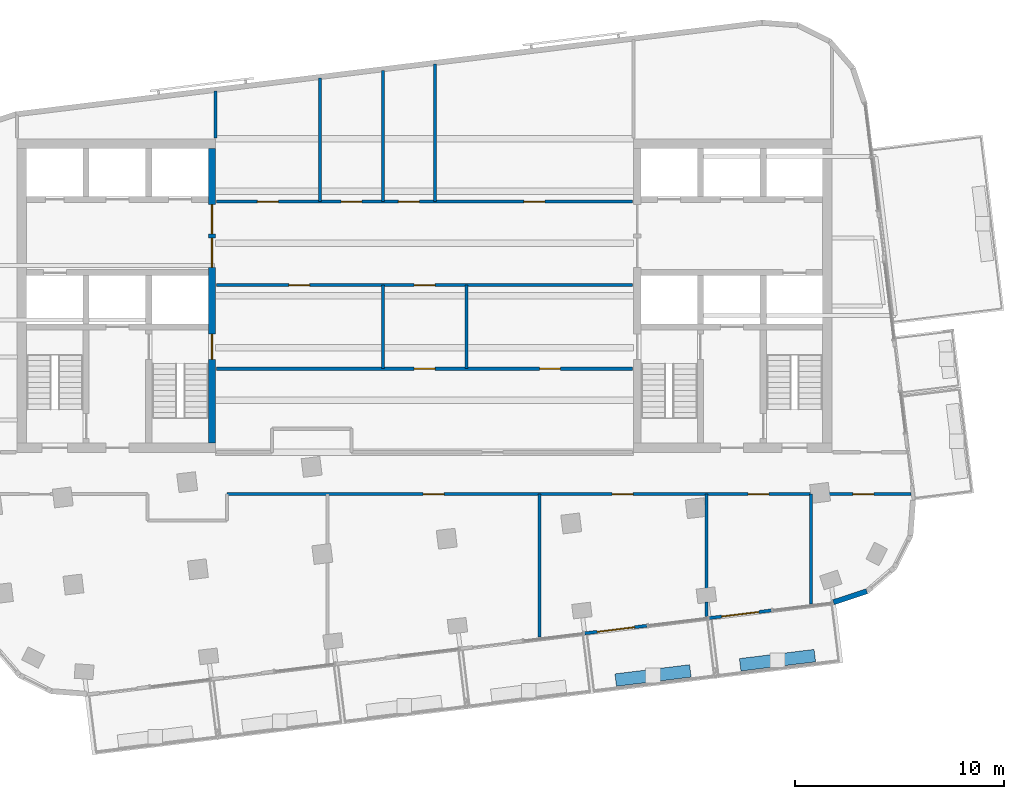
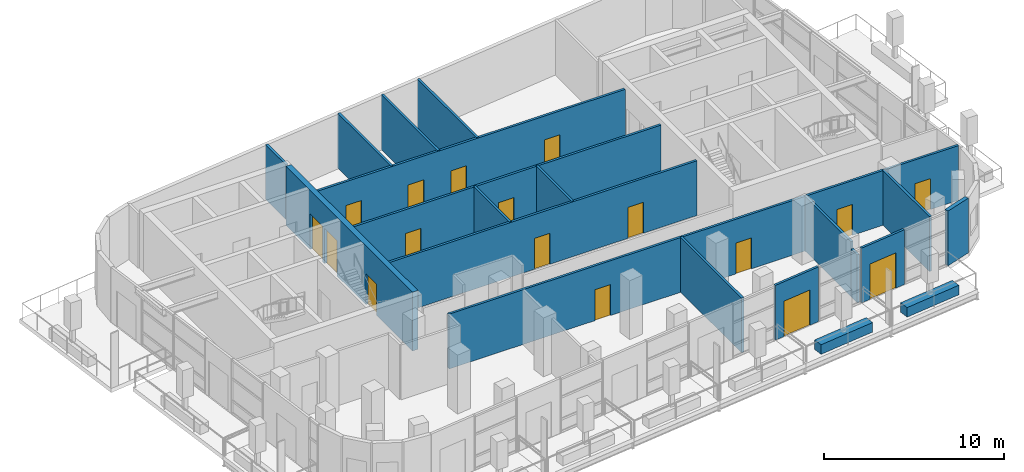
# One storey, part 8 of 14: 20 walls, 17 doors, 17 openings.
"""IFC4 building model written with IfcOpenShell, lengths in metres."""

from ifc_helpers import new_model, si_unit, direction, frame, frame_2d, origin, place, context, subcontext, project, spatial, rectangle, extrude, material, layer, layer_set, type_object, element, fill, save


model = new_model("IFC4")

# Units and contexts
model_context = context("Model", 3, precision=1e-05, world=origin(), true_north=direction((0.0, 1.0)))
body_context = subcontext(model_context, "Body", "Model", "MODEL_VIEW")
ifc_project = project(units=[si_unit("LENGTHUNIT", "METRE"), si_unit("AREAUNIT", "SQUARE_METRE"), si_unit("VOLUMEUNIT", "CUBIC_METRE"), si_unit("PLANEANGLEUNIT", "RADIAN"), si_unit("MASSUNIT", "GRAM", prefix="KILO")], contexts=[model_context])

# Site, building, storey
site_placement = place(None, origin())
site = spatial("IfcSite", under=ifc_project, at=site_placement, CompositionType="ELEMENT")
building_placement = place(site_placement, origin())
building = spatial("IfcBuilding", under=site, at=building_placement, Name="Torana Hotel and Residences", CompositionType="ELEMENT")
storey_placement = place(building_placement, frame((0.0, 0.0, 318.60009765625)))
storey = spatial("IfcBuildingStorey", under=building, at=storey_placement, Name="L84", CompositionType="ELEMENT", Elevation=318.60009765625)

# Wall, openings, doors
ifc_material_1 = material(Name="Concrete C60/75", Category="concrete")
ifc_layer_1 = layer(ifc_material_1, 0.35009765625)
ifc_layer_set_1 = layer_set([ifc_layer_1], Name="CORE WALL 350 C60/75")
wall_type_1 = type_object("IfcWallType", Name="CORE WALL 350 C60/75", PredefinedType="SHEAR", material=ifc_layer_set_1)
wall_1_placement = place(storey_placement, frame((-10.175048828125, -14.550048828125, 0.0), z_axis=(0.0, 0.0, 1.0), x_axis=(0.0, 1.0, 0.0)))
wall_1 = element("IfcWall", 1, at=wall_1_placement, inside=storey, type_object=wall_type_1, Name="Core wall W arch", PredefinedType="SHEAR", context=body_context, shape_type="SweptSolid", body=[
    extrude(rectangle(XDim=14.10009765625, YDim=0.35009765625, at=frame_2d((7.050048828125, 0.0))), origin(), (0.0, 0.0, 1.0), 4.0),
])
opening_1_placement = place(wall_1_placement, frame((8.39990234375, 0.0, 0.0)))
opening_1 = element("IfcOpeningElement", 2, at=opening_1_placement, cuts=wall_1, Name="Opening L84-01", PredefinedType="OPENING", context=body_context, shape_type="SweptSolid", body=[
    extrude(rectangle(XDim=1.39990234375, YDim=2.39990234375, at=frame_2d((0.699951171875, 1.199951171875))), frame((0.0, 0.18505859375, 0.0), z_axis=(0.0, -1.0, 0.0), x_axis=(1.0, 0.0, 0.0)), (0.0, 0.0, 1.0), 0.3701171875),
])
opening_2_placement = place(wall_1_placement, frame((10.0, 0.0, 0.0)))
opening_2 = element("IfcOpeningElement", 3, at=opening_2_placement, cuts=wall_1, Name="Opening L84-02", PredefinedType="OPENING", context=body_context, shape_type="SweptSolid", body=[
    extrude(rectangle(XDim=1.39990234375, YDim=2.39990234375, at=frame_2d((0.699951171875, 1.199951171875))), frame((0.0, 0.18505859375, 0.0), z_axis=(0.0, -1.0, 0.0), x_axis=(1.0, 0.0, 0.0)), (0.0, 0.0, 1.0), 0.3701171875),
])
opening_3_placement = place(wall_1_placement, frame((4.0, 0.0, 0.0)))
opening_3 = element("IfcOpeningElement", 4, at=opening_3_placement, cuts=wall_1, Name="Opening L84-03", PredefinedType="OPENING", context=body_context, shape_type="SweptSolid", body=[
    extrude(rectangle(XDim=1.199951171875, YDim=2.10009765625, at=frame_2d((0.60009765625, 1.050048828125))), frame((0.0, 0.18505859375, 0.0), z_axis=(0.0, -1.0, 0.0), x_axis=(1.0, 0.0, 0.0)), (0.0, 0.0, 1.0), 0.3701171875),
])
ifc_material_2 = material(Name="Steel S235", Category="steel")
door_type_1 = type_object("IfcDoorType", Name="LOBBY FIRE DOOR D4 1400x2400", OperationType="DOUBLE_DOOR_SINGLE_SWING", PredefinedType="DOOR", material=ifc_material_2)
door_1_placement = place(opening_1_placement, origin())
door_1 = element("IfcDoor", 5, at=door_1_placement, inside=storey, type_object=door_type_1, Name="Lobby-1 door L84", OperationType="DOUBLE_DOOR_SINGLE_SWING", OverallHeight=2.39990234375, OverallWidth=1.39990234375, PredefinedType="DOOR", context=body_context, shape_type="SweptSolid", body=[
    extrude(rectangle(XDim=1.39990234375, YDim=2.39990234375, at=frame_2d((0.699951171875, 1.199951171875))), frame((0.0, 0.02490234375, 0.0), z_axis=(0.0, -1.0, 0.0), x_axis=(1.0, 0.0, 0.0)), (0.0, 0.0, 1.0), 0.050048828125),
])
fill(opening_1, door_1)
door_2_placement = place(opening_2_placement, origin())
door_2 = element("IfcDoor", 6, at=door_2_placement, inside=storey, type_object=door_type_1, Name="Lobby-2 door L84", OperationType="DOUBLE_DOOR_SINGLE_SWING", OverallHeight=2.39990234375, OverallWidth=1.39990234375, PredefinedType="DOOR", context=body_context, shape_type="SweptSolid", body=[
    extrude(rectangle(XDim=1.39990234375, YDim=2.39990234375, at=frame_2d((0.699951171875, 1.199951171875))), frame((0.0, 0.02490234375, 0.0), z_axis=(0.0, -1.0, 0.0), x_axis=(1.0, 0.0, 0.0)), (0.0, 0.0, 1.0), 0.050048828125),
])
fill(opening_2, door_2)
ifc_material_3 = material(Name="Steel S235", Category="steel")
door_type_2 = type_object("IfcDoorType", Name="STAIR FIRE DOOR D3 1200x2100", OperationType="SINGLE_SWING_LEFT", PredefinedType="DOOR", material=ifc_material_3)
door_3_placement = place(opening_3_placement, origin())
door_3 = element("IfcDoor", 7, at=door_3_placement, inside=storey, type_object=door_type_2, Name="Stair-A door L84", OperationType="SINGLE_SWING_LEFT", OverallHeight=2.10009765625, OverallWidth=1.199951171875, PredefinedType="DOOR", context=body_context, shape_type="SweptSolid", body=[
    extrude(rectangle(XDim=1.199951171875, YDim=2.10009765625, at=frame_2d((0.60009765625, 1.050048828125))), frame((0.0, 0.02490234375, 0.0), z_axis=(0.0, -1.0, 0.0), x_axis=(1.0, 0.0, 0.0)), (0.0, 0.0, 1.0), 0.050048828125),
])
fill(opening_3, door_3)

# Walls
ifc_material_4 = material(Name="Black aluminium composite panel", Category="aluminium")
ifc_layer_2 = layer(ifc_material_4, 0.00390625, Name="Cladding", Category="cladding")
ifc_material_5 = material(Name="Ventilated air cavity")
ifc_layer_3 = layer(ifc_material_5, 0.0400390625, Name="Ventilated cavity", Category="cavity")
ifc_material_6 = material(Name="Mineral wool insulation")
ifc_layer_4 = layer(ifc_material_6, 0.090087890625, Name="Insulation", Category="insulation")
ifc_material_7 = material(Name="Steel S280GD", Category="steel")
ifc_layer_5 = layer(ifc_material_7, 0.092041015625, Name="Steel stud frame", Category="structure")
ifc_material_8 = material(Name="Fire rated plasterboard")
ifc_layer_6 = layer(ifc_material_8, 0.011962890625, Name="Inner board", Category="finish")
ifc_layer_7 = layer(ifc_material_8, 0.011962890625, Name="Second board", Category="finish")
ifc_layer_set_2 = layer_set([ifc_layer_2, ifc_layer_3, ifc_layer_4, ifc_layer_5, ifc_layer_6, ifc_layer_7], Name="EW1 EXTERNAL WALL BLACK METAL CLAD 250")
wall_type_2 = type_object("IfcWallType", Name="EW1 EXTERNAL WALL BLACK METAL CLAD 250", PredefinedType="SOLIDWALL", material=ifc_layer_set_2)
wall_2_placement = place(storey_placement, frame((19.568359375, -22.1748046875, 0.0), z_axis=(0.0, 0.0, 1.0), x_axis=(0.949694735798, 0.313177120489, 0.0)))
element("IfcWall", 8, at=wall_2_placement, inside=storey, type_object=wall_type_2, Name="External wall L84 e0.15", PredefinedType="SOLIDWALL", context=body_context, shape_type="SweptSolid", body=[
    extrude(rectangle(XDim=1.681396484375, YDim=0.25, at=frame_2d((0.8408203125, 0.0))), origin(), (0.0, 0.0, 1.0), 3.719970703125),
])
ifc_material_9 = material(Name="Gypsum plaster")
ifc_layer_8 = layer(ifc_material_9, 0.014892578125, Name="Plaster", Category="finish")
ifc_material_10 = material(Name="Concrete blockwork", Category="masonry")
ifc_layer_9 = layer(ifc_material_10, 0.1201171875, Name="Blockwork", Category="structure")
ifc_layer_10 = layer(ifc_material_9, 0.014892578125, Name="Plaster", Category="finish")
ifc_layer_set_3 = layer_set([ifc_layer_8, ifc_layer_9, ifc_layer_10], Name="FIRE PARTITION 150 BLOCKWORK")
wall_type_3 = type_object("IfcWallType", Name="FIRE PARTITION 150 BLOCKWORK", PredefinedType="PARTITIONING", material=ifc_layer_set_3)
for number, where, z_axis, x_axis, name in (
    (9, (2.0, -11.0, 0.0), (0.0, 0.0, 1.0), (0.0, 1.0, 0.0), "Partition L84"),
    (10, (-2.0, -11.0, 0.0), (0.0, 0.0, 1.0), (0.0, 1.0, 0.0), "Partition L84"),
):
    element("IfcWall", number, at=place(storey_placement, frame(where, z_axis=z_axis, x_axis=x_axis)), inside=storey, type_object=wall_type_3, Name=name, PredefinedType="PARTITIONING", context=body_context, shape_type="SweptSolid", body=[
        extrude(rectangle(XDim=4.0, YDim=0.14990234375, at=frame_2d((2.0, 0.0))), origin(), (0.0, 0.0, 1.0), 3.719970703125),
    ])

# Wall, openings, doors
wall_3_placement = place(storey_placement, frame((-9.4609375, -17.0, 0.0), z_axis=(0.0, 0.0, 1.0), x_axis=(1.0, 0.0, 0.0)))
wall_3 = element("IfcWall", 11, at=wall_3_placement, inside=storey, type_object=wall_type_3, Name="Partition L84", PredefinedType="PARTITIONING", context=body_context, shape_type="SweptSolid", body=[
    extrude(rectangle(XDim=32.74658203125, YDim=0.14990234375, at=frame_2d((16.373291015625, 0.0))), origin(), (0.0, 0.0, 1.0), 3.719970703125),
])
opening_4_placement = place(wall_3_placement, frame((9.388916015625, 0.0, 0.0)))
opening_4 = element("IfcOpeningElement", 12, at=opening_4_placement, cuts=wall_3, Name="Opening L84-19", PredefinedType="OPENING", context=body_context, shape_type="SweptSolid", body=[
    extrude(rectangle(XDim=1.0, YDim=2.10009765625, at=frame_2d((0.5, 1.050048828125))), frame((0.0, 0.0849609375, 0.0), z_axis=(0.0, -1.0, 0.0), x_axis=(1.0, 0.0, 0.0)), (0.0, 0.0, 1.0), 0.169921875),
])
opening_5_placement = place(wall_3_placement, frame((18.43896484375, 0.0, 0.0)))
opening_5 = element("IfcOpeningElement", 13, at=opening_5_placement, cuts=wall_3, Name="Opening L84-20", PredefinedType="OPENING", context=body_context, shape_type="SweptSolid", body=[
    extrude(rectangle(XDim=1.0, YDim=2.10009765625, at=frame_2d((0.5, 1.050048828125))), frame((0.0, 0.0849609375, 0.0), z_axis=(0.0, -1.0, 0.0), x_axis=(1.0, 0.0, 0.0)), (0.0, 0.0, 1.0), 0.169921875),
])
opening_6_placement = place(wall_3_placement, frame((24.93896484375, 0.0, 0.0)))
opening_6 = element("IfcOpeningElement", 14, at=opening_6_placement, cuts=wall_3, Name="Opening L84-21", PredefinedType="OPENING", context=body_context, shape_type="SweptSolid", body=[
    extrude(rectangle(XDim=1.0, YDim=2.10009765625, at=frame_2d((0.5, 1.050048828125))), frame((0.0, 0.0849609375, 0.0), z_axis=(0.0, -1.0, 0.0), x_axis=(1.0, 0.0, 0.0)), (0.0, 0.0, 1.0), 0.169921875),
])
opening_7_placement = place(wall_3_placement, frame((29.9580078125, 0.0, 0.0)))
opening_7 = element("IfcOpeningElement", 15, at=opening_7_placement, cuts=wall_3, Name="Opening L84-22", PredefinedType="OPENING", context=body_context, shape_type="SweptSolid", body=[
    extrude(rectangle(XDim=1.0, YDim=2.10009765625, at=frame_2d((0.5, 1.050048828125))), frame((0.0, 0.0849609375, 0.0), z_axis=(0.0, -1.0, 0.0), x_axis=(1.0, 0.0, 0.0)), (0.0, 0.0, 1.0), 0.169921875),
])
ifc_material_11 = material(Name="Steel S235", Category="steel")
door_type_3 = type_object("IfcDoorType", Name="ENTRY FIRE DOOR D6 1000x2100", OperationType="SINGLE_SWING_LEFT", PredefinedType="DOOR", material=ifc_material_11)
door_4_placement = place(opening_4_placement, frame((0.5, 0.0, 0.0), z_axis=(0.0, 0.0, 1.0), x_axis=(-1.0, 0.0, 0.0)))
door_4 = element("IfcDoor", 16, at=door_4_placement, inside=storey, type_object=door_type_3, Name="Door L84", OperationType="SINGLE_SWING_LEFT", OverallHeight=2.10009765625, OverallWidth=1.0, PredefinedType="DOOR", context=body_context, shape_type="SweptSolid", body=[
    extrude(rectangle(XDim=1.0, YDim=2.10009765625, at=frame_2d((0.0, 1.050048828125))), frame((0.0, -0.02490234375, 0.0), z_axis=(0.0, 1.0, 0.0), x_axis=(-1.0, 0.0, 0.0)), (0.0, 0.0, 1.0), 0.050048828125),
])
fill(opening_4, door_4)
door_5_placement = place(opening_5_placement, frame((0.5, 0.0, 0.0), z_axis=(0.0, 0.0, 1.0), x_axis=(-1.0, 0.0, 0.0)))
door_5 = element("IfcDoor", 17, at=door_5_placement, inside=storey, type_object=door_type_3, Name="Door L84", OperationType="SINGLE_SWING_LEFT", OverallHeight=2.10009765625, OverallWidth=1.0, PredefinedType="DOOR", context=body_context, shape_type="SweptSolid", body=[
    extrude(rectangle(XDim=1.0, YDim=2.10009765625, at=frame_2d((0.0, 1.050048828125))), frame((0.0, -0.02490234375, 0.0), z_axis=(0.0, 1.0, 0.0), x_axis=(-1.0, 0.0, 0.0)), (0.0, 0.0, 1.0), 0.050048828125),
])
fill(opening_5, door_5)
door_6_placement = place(opening_6_placement, frame((0.5, 0.0, 0.0), z_axis=(0.0, 0.0, 1.0), x_axis=(-1.0, 0.0, 0.0)))
door_6 = element("IfcDoor", 18, at=door_6_placement, inside=storey, type_object=door_type_3, Name="Door L84", OperationType="SINGLE_SWING_LEFT", OverallHeight=2.10009765625, OverallWidth=1.0, PredefinedType="DOOR", context=body_context, shape_type="SweptSolid", body=[
    extrude(rectangle(XDim=1.0, YDim=2.10009765625, at=frame_2d((0.0, 1.050048828125))), frame((0.0, -0.02490234375, 0.0), z_axis=(0.0, 1.0, 0.0), x_axis=(-1.0, 0.0, 0.0)), (0.0, 0.0, 1.0), 0.050048828125),
])
fill(opening_6, door_6)
door_7_placement = place(opening_7_placement, frame((0.5, 0.0, 0.0), z_axis=(0.0, 0.0, 1.0), x_axis=(-1.0, 0.0, 0.0)))
door_7 = element("IfcDoor", 19, at=door_7_placement, inside=storey, type_object=door_type_3, Name="Door L84", OperationType="SINGLE_SWING_LEFT", OverallHeight=2.10009765625, OverallWidth=1.0, PredefinedType="DOOR", context=body_context, shape_type="SweptSolid", body=[
    extrude(rectangle(XDim=1.0, YDim=2.10009765625, at=frame_2d((0.0, 1.050048828125))), frame((0.0, -0.02490234375, 0.0), z_axis=(0.0, 1.0, 0.0), x_axis=(-1.0, 0.0, 0.0)), (0.0, 0.0, 1.0), 0.050048828125),
])
fill(opening_7, door_7)

wall_4_placement = place(storey_placement, frame((-9.949951171875, -11.0, 0.0), z_axis=(0.0, 0.0, 1.0), x_axis=(1.0, 0.0, 0.0)))
wall_4 = element("IfcWall", 20, at=wall_4_placement, inside=storey, type_object=wall_type_3, Name="Partition L84", PredefinedType="PARTITIONING", context=body_context, shape_type="SweptSolid", body=[
    extrude(rectangle(XDim=19.89990234375, YDim=0.14990234375, at=frame_2d((9.949951171875, 0.0))), origin(), (0.0, 0.0, 1.0), 3.719970703125),
])
opening_8_placement = place(wall_4_placement, frame((9.449951171875, 0.0, 0.0)))
opening_8 = element("IfcOpeningElement", 21, at=opening_8_placement, cuts=wall_4, Name="Opening L84-25", PredefinedType="OPENING", context=body_context, shape_type="SweptSolid", body=[
    extrude(rectangle(XDim=1.0, YDim=2.10009765625, at=frame_2d((0.5, 1.050048828125))), frame((0.0, 0.0849609375, 0.0), z_axis=(0.0, -1.0, 0.0), x_axis=(1.0, 0.0, 0.0)), (0.0, 0.0, 1.0), 0.169921875),
])
opening_9_placement = place(wall_4_placement, frame((15.449951171875, 0.0, 0.0)))
opening_9 = element("IfcOpeningElement", 22, at=opening_9_placement, cuts=wall_4, Name="Opening L84-26", PredefinedType="OPENING", context=body_context, shape_type="SweptSolid", body=[
    extrude(rectangle(XDim=1.0, YDim=2.10009765625, at=frame_2d((0.5, 1.050048828125))), frame((0.0, 0.0849609375, 0.0), z_axis=(0.0, -1.0, 0.0), x_axis=(1.0, 0.0, 0.0)), (0.0, 0.0, 1.0), 0.169921875),
])
door_8_placement = place(opening_8_placement, origin())
door_8 = element("IfcDoor", 23, at=door_8_placement, inside=storey, type_object=door_type_3, Name="Door L84", OperationType="SINGLE_SWING_RIGHT", OverallHeight=2.10009765625, OverallWidth=1.0, PredefinedType="DOOR", context=body_context, shape_type="SweptSolid", body=[
    extrude(rectangle(XDim=1.0, YDim=2.10009765625, at=frame_2d((0.5, 1.050048828125))), frame((0.0, 0.02490234375, 0.0), z_axis=(0.0, -1.0, 0.0), x_axis=(1.0, 0.0, 0.0)), (0.0, 0.0, 1.0), 0.050048828125),
])
fill(opening_8, door_8)
door_9_placement = place(opening_9_placement, origin())
door_9 = element("IfcDoor", 24, at=door_9_placement, inside=storey, type_object=door_type_3, Name="Door L84", OperationType="SINGLE_SWING_RIGHT", OverallHeight=2.10009765625, OverallWidth=1.0, PredefinedType="DOOR", context=body_context, shape_type="SweptSolid", body=[
    extrude(rectangle(XDim=1.0, YDim=2.10009765625, at=frame_2d((0.5, 1.050048828125))), frame((0.0, 0.02490234375, 0.0), z_axis=(0.0, -1.0, 0.0), x_axis=(1.0, 0.0, 0.0)), (0.0, 0.0, 1.0), 0.050048828125),
])
fill(opening_9, door_9)

wall_5_placement = place(storey_placement, frame((-9.949951171875, -7.0, 0.0), z_axis=(0.0, 0.0, 1.0), x_axis=(1.0, 0.0, 0.0)))
wall_5 = element("IfcWall", 25, at=wall_5_placement, inside=storey, type_object=wall_type_3, Name="Partition L84", PredefinedType="PARTITIONING", context=body_context, shape_type="SweptSolid", body=[
    extrude(rectangle(XDim=19.89990234375, YDim=0.14990234375, at=frame_2d((9.949951171875, 0.0))), origin(), (0.0, 0.0, 1.0), 3.719970703125),
])
opening_10_placement = place(wall_5_placement, frame((9.449951171875, 0.0, 0.0)))
opening_10 = element("IfcOpeningElement", 26, at=opening_10_placement, cuts=wall_5, Name="Opening L84-27", PredefinedType="OPENING", context=body_context, shape_type="SweptSolid", body=[
    extrude(rectangle(XDim=1.0, YDim=2.10009765625, at=frame_2d((0.5, 1.050048828125))), frame((0.0, 0.0849609375, 0.0), z_axis=(0.0, -1.0, 0.0), x_axis=(1.0, 0.0, 0.0)), (0.0, 0.0, 1.0), 0.169921875),
])
opening_11_placement = place(wall_5_placement, frame((3.449951171875, 0.0, 0.0)))
opening_11 = element("IfcOpeningElement", 27, at=opening_11_placement, cuts=wall_5, Name="Opening L84-28", PredefinedType="OPENING", context=body_context, shape_type="SweptSolid", body=[
    extrude(rectangle(XDim=1.0, YDim=2.10009765625, at=frame_2d((0.5, 1.050048828125))), frame((0.0, 0.0849609375, 0.0), z_axis=(0.0, -1.0, 0.0), x_axis=(1.0, 0.0, 0.0)), (0.0, 0.0, 1.0), 0.169921875),
])
door_10_placement = place(opening_10_placement, origin())
door_10 = element("IfcDoor", 28, at=door_10_placement, inside=storey, type_object=door_type_3, Name="Door L84", OperationType="SINGLE_SWING_RIGHT", OverallHeight=2.10009765625, OverallWidth=1.0, PredefinedType="DOOR", context=body_context, shape_type="SweptSolid", body=[
    extrude(rectangle(XDim=1.0, YDim=2.10009765625, at=frame_2d((0.5, 1.050048828125))), frame((0.0, 0.02490234375, 0.0), z_axis=(0.0, -1.0, 0.0), x_axis=(1.0, 0.0, 0.0)), (0.0, 0.0, 1.0), 0.050048828125),
])
fill(opening_10, door_10)
door_11_placement = place(opening_11_placement, frame((0.5, 0.0, 0.0), z_axis=(0.0, 0.0, 1.0), x_axis=(-1.0, 0.0, 0.0)))
door_11 = element("IfcDoor", 29, at=door_11_placement, inside=storey, type_object=door_type_3, Name="Door L84", OperationType="SINGLE_SWING_LEFT", OverallHeight=2.10009765625, OverallWidth=1.0, PredefinedType="DOOR", context=body_context, shape_type="SweptSolid", body=[
    extrude(rectangle(XDim=1.0, YDim=2.10009765625, at=frame_2d((0.0, 1.050048828125))), frame((0.0, -0.02490234375, 0.0), z_axis=(0.0, 1.0, 0.0), x_axis=(-1.0, 0.0, 0.0)), (0.0, 0.0, 1.0), 0.050048828125),
])
fill(opening_11, door_11)

wall_6_placement = place(storey_placement, frame((-9.949951171875, -3.0, 0.0), z_axis=(0.0, 0.0, 1.0), x_axis=(1.0, 0.0, 0.0)))
wall_6 = element("IfcWall", 30, at=wall_6_placement, inside=storey, type_object=wall_type_3, Name="Partition L84", PredefinedType="PARTITIONING", context=body_context, shape_type="SweptSolid", body=[
    extrude(rectangle(XDim=19.89990234375, YDim=0.14990234375, at=frame_2d((9.949951171875, 0.0))), origin(), (0.0, 0.0, 1.0), 3.719970703125),
])
opening_12_placement = place(wall_6_placement, frame((1.949951171875, 0.0, 0.0)))
opening_12 = element("IfcOpeningElement", 31, at=opening_12_placement, cuts=wall_6, Name="Opening L84-29", PredefinedType="OPENING", context=body_context, shape_type="SweptSolid", body=[
    extrude(rectangle(XDim=1.0, YDim=2.10009765625, at=frame_2d((0.5, 1.050048828125))), frame((0.0, 0.0849609375, 0.0), z_axis=(0.0, -1.0, 0.0), x_axis=(1.0, 0.0, 0.0)), (0.0, 0.0, 1.0), 0.169921875),
])
opening_13_placement = place(wall_6_placement, frame((5.949951171875, 0.0, 0.0)))
opening_13 = element("IfcOpeningElement", 32, at=opening_13_placement, cuts=wall_6, Name="Opening L84-30", PredefinedType="OPENING", context=body_context, shape_type="SweptSolid", body=[
    extrude(rectangle(XDim=1.0, YDim=2.10009765625, at=frame_2d((0.5, 1.050048828125))), frame((0.0, 0.0849609375, 0.0), z_axis=(0.0, -1.0, 0.0), x_axis=(1.0, 0.0, 0.0)), (0.0, 0.0, 1.0), 0.169921875),
])
opening_14_placement = place(wall_6_placement, frame((8.699951171875, 0.0, 0.0)))
opening_14 = element("IfcOpeningElement", 33, at=opening_14_placement, cuts=wall_6, Name="Opening L84-31", PredefinedType="OPENING", context=body_context, shape_type="SweptSolid", body=[
    extrude(rectangle(XDim=1.0, YDim=2.10009765625, at=frame_2d((0.5, 1.050048828125))), frame((0.0, 0.0849609375, 0.0), z_axis=(0.0, -1.0, 0.0), x_axis=(1.0, 0.0, 0.0)), (0.0, 0.0, 1.0), 0.169921875),
])
opening_15_placement = place(wall_6_placement, frame((14.699951171875, 0.0, 0.0)))
opening_15 = element("IfcOpeningElement", 34, at=opening_15_placement, cuts=wall_6, Name="Opening L84-32", PredefinedType="OPENING", context=body_context, shape_type="SweptSolid", body=[
    extrude(rectangle(XDim=1.0, YDim=2.10009765625, at=frame_2d((0.5, 1.050048828125))), frame((0.0, 0.0849609375, 0.0), z_axis=(0.0, -1.0, 0.0), x_axis=(1.0, 0.0, 0.0)), (0.0, 0.0, 1.0), 0.169921875),
])
door_12_placement = place(opening_12_placement, origin())
door_12 = element("IfcDoor", 35, at=door_12_placement, inside=storey, type_object=door_type_3, Name="Door L84", OperationType="SINGLE_SWING_RIGHT", OverallHeight=2.10009765625, OverallWidth=1.0, PredefinedType="DOOR", context=body_context, shape_type="SweptSolid", body=[
    extrude(rectangle(XDim=1.0, YDim=2.10009765625, at=frame_2d((0.5, 1.050048828125))), frame((0.0, 0.02490234375, 0.0), z_axis=(0.0, -1.0, 0.0), x_axis=(1.0, 0.0, 0.0)), (0.0, 0.0, 1.0), 0.050048828125),
])
fill(opening_12, door_12)
door_13_placement = place(opening_13_placement, origin())
door_13 = element("IfcDoor", 36, at=door_13_placement, inside=storey, type_object=door_type_3, Name="Door L84", OperationType="SINGLE_SWING_RIGHT", OverallHeight=2.10009765625, OverallWidth=1.0, PredefinedType="DOOR", context=body_context, shape_type="SweptSolid", body=[
    extrude(rectangle(XDim=1.0, YDim=2.10009765625, at=frame_2d((0.5, 1.050048828125))), frame((0.0, 0.02490234375, 0.0), z_axis=(0.0, -1.0, 0.0), x_axis=(1.0, 0.0, 0.0)), (0.0, 0.0, 1.0), 0.050048828125),
])
fill(opening_13, door_13)
door_14_placement = place(opening_14_placement, origin())
door_14 = element("IfcDoor", 37, at=door_14_placement, inside=storey, type_object=door_type_3, Name="Door L84", OperationType="SINGLE_SWING_RIGHT", OverallHeight=2.10009765625, OverallWidth=1.0, PredefinedType="DOOR", context=body_context, shape_type="SweptSolid", body=[
    extrude(rectangle(XDim=1.0, YDim=2.10009765625, at=frame_2d((0.5, 1.050048828125))), frame((0.0, 0.02490234375, 0.0), z_axis=(0.0, -1.0, 0.0), x_axis=(1.0, 0.0, 0.0)), (0.0, 0.0, 1.0), 0.050048828125),
])
fill(opening_14, door_14)
door_15_placement = place(opening_15_placement, origin())
door_15 = element("IfcDoor", 38, at=door_15_placement, inside=storey, type_object=door_type_3, Name="Door L84", OperationType="SINGLE_SWING_RIGHT", OverallHeight=2.10009765625, OverallWidth=1.0, PredefinedType="DOOR", context=body_context, shape_type="SweptSolid", body=[
    extrude(rectangle(XDim=1.0, YDim=2.10009765625, at=frame_2d((0.5, 1.050048828125))), frame((0.0, 0.02490234375, 0.0), z_axis=(0.0, -1.0, 0.0), x_axis=(1.0, 0.0, 0.0)), (0.0, 0.0, 1.0), 0.050048828125),
])
fill(opening_15, door_15)

# Wall, opening, door
ifc_material_12 = material(Name="Dark glass screen in aluminium frame", Category="aluminium")
ifc_layer_11 = layer(ifc_material_12, 0.14990234375)
ifc_layer_set_4 = layer_set([ifc_layer_11], Name="GS1 GLAZED DOOR SCREEN 150")
wall_type_4 = type_object("IfcWallType", Name="GS1 GLAZED DOOR SCREEN 150", PredefinedType="USERDEFINED", material=ifc_layer_set_4)
wall_7_placement = place(storey_placement, frame((7.661376953125, -23.664306640625, 0.0), z_axis=(0.0, 0.0, 1.0), x_axis=(0.992552088886, 0.121820978688, 0.0)))
wall_7 = element("IfcWall", 39, at=wall_7_placement, inside=storey, type_object=wall_type_4, Name="Glazed door screen L84", ObjectType="GLAZED SCREEN", PredefinedType="USERDEFINED", context=body_context, shape_type="SweptSolid", body=[
    extrude(rectangle(XDim=3.000244140625, YDim=0.14990234375, at=frame_2d((1.5, 0.0))), origin(), (0.0, 0.0, 1.0), 3.719970703125),
])
opening_16_placement = place(wall_7_placement, frame((0.60009765625, 0.0, 0.0)))
opening_16 = element("IfcOpeningElement", 40, at=opening_16_placement, cuts=wall_7, Name="Opening L84-E08", PredefinedType="OPENING", context=body_context, shape_type="SweptSolid", body=[
    extrude(rectangle(XDim=1.800048828125, YDim=2.39990234375, at=frame_2d((0.89990234375, 1.199951171875))), frame((0.0, 0.0849609375, 0.0), z_axis=(0.0, -1.0, 0.0), x_axis=(1.0, 0.0, 0.0)), (0.0, 0.0, 1.0), 0.169921875),
])
ifc_material_13 = material(Name="Dark glass in black aluminium frame", Category="aluminium")
door_type_4 = type_object("IfcDoorType", Name="DB1 BALCONY DOOR 1800x2400", OperationType="DOUBLE_DOOR_SINGLE_SWING", PredefinedType="DOOR", material=ifc_material_13)
door_16_placement = place(opening_16_placement, origin())
door_16 = element("IfcDoor", 41, at=door_16_placement, inside=storey, type_object=door_type_4, Name="Balcony door L84", OperationType="DOUBLE_DOOR_SINGLE_SWING", OverallHeight=2.39990234375, OverallWidth=1.800048828125, PredefinedType="DOOR", context=body_context, shape_type="SweptSolid", body=[
    extrude(rectangle(XDim=1.800048828125, YDim=2.39990234375, at=frame_2d((0.89990234375, 1.199951171875))), frame((0.0, 0.02490234375, 0.0), z_axis=(0.0, -1.0, 0.0), x_axis=(1.0, 0.0, 0.0)), (0.0, 0.0, 1.0), 0.050048828125),
])
fill(opening_16, door_16)

wall_8_placement = place(storey_placement, frame((13.61669921875, -22.93310546875, 0.0), z_axis=(0.0, 0.0, 1.0), x_axis=(0.99255088108, 0.121830819037, 0.0)))
wall_8 = element("IfcWall", 42, at=wall_8_placement, inside=storey, type_object=wall_type_4, Name="Glazed door screen L84", ObjectType="GLAZED SCREEN", PredefinedType="USERDEFINED", context=body_context, shape_type="SweptSolid", body=[
    extrude(rectangle(XDim=3.0, YDim=0.14990234375, at=frame_2d((1.5, 0.0))), origin(), (0.0, 0.0, 1.0), 3.719970703125),
])
opening_17_placement = place(wall_8_placement, frame((0.60009765625, 0.0, 0.0)))
opening_17 = element("IfcOpeningElement", 43, at=opening_17_placement, cuts=wall_8, Name="Opening L84-E09", PredefinedType="OPENING", context=body_context, shape_type="SweptSolid", body=[
    extrude(rectangle(XDim=1.800048828125, YDim=2.39990234375, at=frame_2d((0.89990234375, 1.199951171875))), frame((0.0, 0.0849609375, 0.0), z_axis=(0.0, -1.0, 0.0), x_axis=(1.0, 0.0, 0.0)), (0.0, 0.0, 1.0), 0.169921875),
])
door_17_placement = place(opening_17_placement, origin())
door_17 = element("IfcDoor", 44, at=door_17_placement, inside=storey, type_object=door_type_4, Name="Balcony door L84", OperationType="DOUBLE_DOOR_SINGLE_SWING", OverallHeight=2.39990234375, OverallWidth=1.800048828125, PredefinedType="DOOR", context=body_context, shape_type="SweptSolid", body=[
    extrude(rectangle(XDim=1.800048828125, YDim=2.39990234375, at=frame_2d((0.89990234375, 1.199951171875))), frame((0.0, 0.02490234375, 0.0), z_axis=(0.0, -1.0, 0.0), x_axis=(1.0, 0.0, 0.0)), (0.0, 0.0, 1.0), 0.050048828125),
])
fill(opening_17, door_17)

# Walls
ifc_material_14 = material(Name="Gypsum plasterboard")
ifc_layer_12 = layer(ifc_material_14, 0.012451171875, Name="Plasterboard", Category="finish")
ifc_layer_13 = layer(ifc_material_14, 0.012451171875, Name="Plasterboard", Category="finish")
ifc_layer_14 = layer(ifc_material_7, 0.10009765625, Name="Steel studs with mineral wool", Category="insulation")
ifc_layer_15 = layer(ifc_material_14, 0.012451171875, Name="Plasterboard", Category="finish")
ifc_layer_16 = layer(ifc_material_14, 0.012451171875, Name="Plasterboard", Category="finish")
ifc_layer_set_5 = layer_set([ifc_layer_12, ifc_layer_13, ifc_layer_14, ifc_layer_15, ifc_layer_16], Name="PARTITION 150 PLASTERBOARD")
wall_type_5 = type_object("IfcWallType", Name="PARTITION 150 PLASTERBOARD", PredefinedType="PARTITIONING", material=ifc_layer_set_5)
wall_9_placement = place(storey_placement, frame((18.498046875, -22.25341796875, 0.0), z_axis=(0.0, 0.0, 1.0), x_axis=(0.0, 1.0, 0.0)))
element("IfcWall", 45, at=wall_9_placement, inside=storey, type_object=wall_type_5, Name="Partition L84", PredefinedType="PARTITIONING", context=body_context, shape_type="SweptSolid", body=[
    extrude(rectangle(XDim=5.25341796875, YDim=0.14990234375, at=frame_2d((2.626708984375, 0.0))), origin(), (0.0, 0.0, 1.0), 3.719970703125),
])
wall_10_placement = place(storey_placement, frame((13.498046875, -22.8671875, 0.0), z_axis=(0.0, 0.0, 1.0), x_axis=(0.0, 1.0, 0.0)))
element("IfcWall", 46, at=wall_10_placement, inside=storey, type_object=wall_type_5, Name="Partition L84", PredefinedType="PARTITIONING", context=body_context, shape_type="SweptSolid", body=[
    extrude(rectangle(XDim=0.694580078125, YDim=0.14990234375, at=frame_2d((0.34716796875, 0.0))), origin(), (0.0, 0.0, 1.0), 3.2529296875),
])
wall_11_placement = place(storey_placement, frame((5.498046875, -23.849609375, 0.0), z_axis=(0.0, 0.0, 1.0), x_axis=(0.0, 1.0, 0.0)))
element("IfcWall", 47, at=wall_11_placement, inside=storey, type_object=wall_type_5, Name="Partition L84", PredefinedType="PARTITIONING", context=body_context, shape_type="SweptSolid", body=[
    extrude(rectangle(XDim=6.849609375, YDim=0.14990234375, at=frame_2d((3.4248046875, 0.0))), origin(), (0.0, 0.0, 1.0), 3.719970703125),
])
wall_12_placement = place(storey_placement, frame((-10.0, 0.050048828125, 0.0), z_axis=(0.0, 0.0, 1.0), x_axis=(0.0, 1.0, 0.0)))
element("IfcWall", 48, at=wall_12_placement, inside=storey, type_object=wall_type_5, Name="Partition L84", PredefinedType="PARTITIONING", context=body_context, shape_type="SweptSolid", body=[
    extrude(rectangle(XDim=2.24658203125, YDim=0.14990234375, at=frame_2d((1.123291015625, 0.0))), origin(), (0.0, 0.0, 1.0), 3.719970703125),
])
wall_13_placement = place(storey_placement, frame((13.498046875, -22.172607421875, 0.0), z_axis=(0.0, 0.0, 1.0), x_axis=(0.0, 1.0, 0.0)))
element("IfcWall", 49, at=wall_13_placement, inside=storey, type_object=wall_type_5, Name="Partition L84", PredefinedType="PARTITIONING", context=body_context, shape_type="SweptSolid", body=[
    extrude(rectangle(XDim=5.172607421875, YDim=0.14990234375, at=frame_2d((2.58642578125, 0.0))), origin(), (0.0, 0.0, 1.0), 3.719970703125),
])
ifc_material_15 = material(Name="Concrete C40/50 precast", Category="concrete")
ifc_layer_17 = layer(ifc_material_15, 0.10009765625, Name="Planter shell", Category="structure")
ifc_material_16 = material(Name="Root resistant membrane")
ifc_layer_18 = layer(ifc_material_16, 0.00390625, Name="Waterproofing membrane", Category="membrane")
ifc_material_17 = material(Name="Drainage board with filter fleece")
ifc_layer_19 = layer(ifc_material_17, 0.02001953125, Name="Drainage board", Category="drainage")
ifc_material_18 = material(Name="Growing medium")
ifc_layer_20 = layer(ifc_material_18, 0.47607421875, Name="Planting substrate", Category="soil")
ifc_layer_set_6 = layer_set([ifc_layer_17, ifc_layer_18, ifc_layer_19, ifc_layer_20], Name="PL1 BALCONY PLANTER 600")
wall_type_6 = type_object("IfcWallType", Name="PL1 BALCONY PLANTER 600", PredefinedType="USERDEFINED", material=ifc_layer_set_6)
for number, where, z_axis, x_axis, name in (
    (50, (12.718017578125, -25.461669921875, 0.0), (0.0, 0.0, 1.0), (-0.992545758265, -0.121872547154, 0.0), "Planter 05"),
    (51, (18.67333984375, -24.73046875, 0.0), (0.0, 0.0, 1.0), (-0.992545758265, -0.121872547154, 0.0), "Planter 06"),
):
    element("IfcWall", number, at=place(storey_placement, frame(where, z_axis=z_axis, x_axis=x_axis)), inside=storey, type_object=wall_type_6, Name=name, ObjectType="PLANTER", PredefinedType="USERDEFINED", context=body_context, shape_type="SweptSolid", body=[
        extrude(rectangle(XDim=3.599853515625, YDim=0.60009765625, at=frame_2d((1.7998046875, 0.0))), origin(), (0.0, 0.0, 1.0), 0.64990234375),
    ])
ifc_material_19 = material(Name="Ceramic tile on adhesive")
ifc_layer_21 = layer(ifc_material_19, 0.010009765625, Name="Wall tile", Category="finish")
ifc_material_20 = material(Name="Cement render")
ifc_layer_22 = layer(ifc_material_20, 0.010009765625, Name="Render", Category="finish")
ifc_layer_23 = layer(ifc_material_10, 0.110107421875, Name="Blockwork", Category="structure")
ifc_layer_24 = layer(ifc_material_20, 0.010009765625, Name="Render", Category="finish")
ifc_layer_25 = layer(ifc_material_19, 0.010009765625, Name="Wall tile", Category="finish")
ifc_layer_set_7 = layer_set([ifc_layer_21, ifc_layer_22, ifc_layer_23, ifc_layer_24, ifc_layer_25], Name="WC PARTITION 150")
wall_type_7 = type_object("IfcWallType", Name="WC PARTITION 150", PredefinedType="PLUMBINGWALL", material=ifc_layer_set_7)
wall_14_placement = place(storey_placement, frame((0.5, -3.0, 0.0), z_axis=(0.0, 0.0, 1.0), x_axis=(0.0, 1.0, 0.0)))
element("IfcWall", 52, at=wall_14_placement, inside=storey, type_object=wall_type_7, Name="Partition L84", PredefinedType="PLUMBINGWALL", context=body_context, shape_type="SweptSolid", body=[
    extrude(rectangle(XDim=6.5859375, YDim=0.14990234375, at=frame_2d((3.29296875, 0.0))), origin(), (0.0, 0.0, 1.0), 3.719970703125),
])
wall_15_placement = place(storey_placement, frame((-2.0, -3.0, 0.0), z_axis=(0.0, 0.0, 1.0), x_axis=(0.0, 1.0, 0.0)))
element("IfcWall", 53, at=wall_15_placement, inside=storey, type_object=wall_type_7, Name="Partition L84", PredefinedType="PLUMBINGWALL", context=body_context, shape_type="SweptSolid", body=[
    extrude(rectangle(XDim=6.279052734375, YDim=0.14990234375, at=frame_2d((3.1396484375, 0.0))), origin(), (0.0, 0.0, 1.0), 3.719970703125),
])
wall_16_placement = place(storey_placement, frame((-5.0, -3.0, 0.0), z_axis=(0.0, 0.0, 1.0), x_axis=(0.0, 1.0, 0.0)))
element("IfcWall", 54, at=wall_16_placement, inside=storey, type_object=wall_type_7, Name="Partition L84", PredefinedType="PLUMBINGWALL", context=body_context, shape_type="SweptSolid", body=[
    extrude(rectangle(XDim=5.91064453125, YDim=0.14990234375, at=frame_2d((2.955322265625, 0.0))), origin(), (0.0, 0.0, 1.0), 3.719970703125),
])

save(model, "model.ifc")
